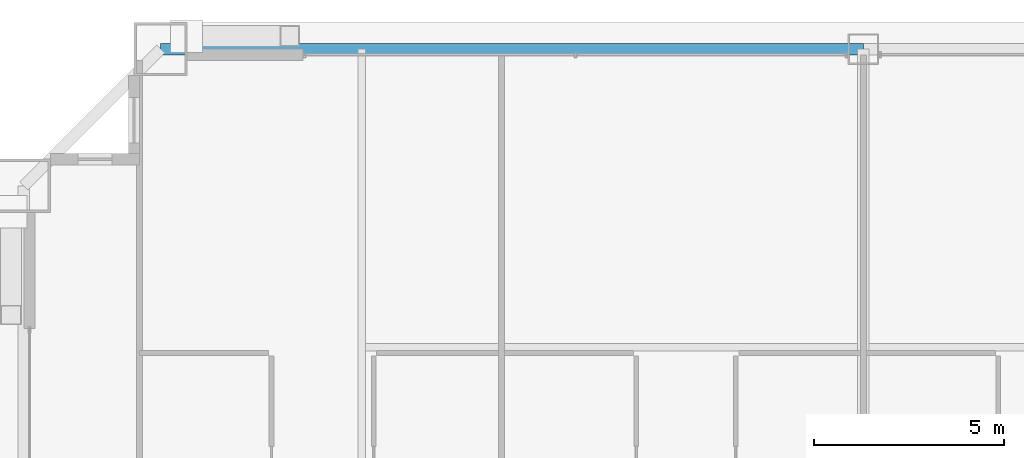
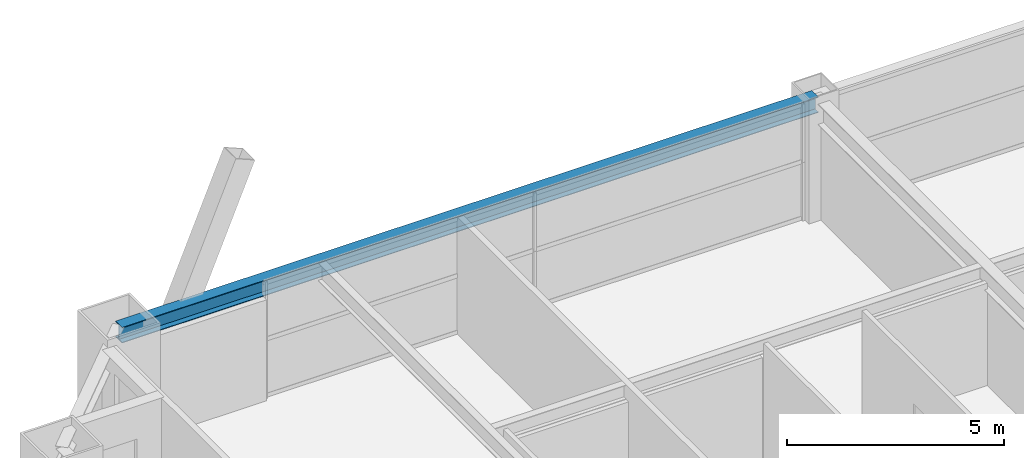
# One storey, part 30 of 42: 1 beam.
"""IFC4 building model written with IfcOpenShell, lengths in metres."""

import ifcopenshell
import ifcopenshell.guid

model = None  # the IFC model being written
_history = None  # IfcOwnerHistory: only IFC2X3 demands one
_inside = {}  # id of a spatial element -> (the spatial element, [elements in it])
_under = {}  # id of a project, library or spatial element -> (it, [spatial elements below it])
_declared = {}  # id of a project -> (the project, [libraries it declares])
_typed = {}  # id of a type object -> (the type object, [elements of that type])
_made_of = {}  # id of a material, layer set ... -> (it, [elements and type objects made of it])


def new_model(schema):
    """Start an empty IFC model of exactly this schema.

    Asked for "IFC4X3", IfcOpenShell would pick the latest addendum, in which some entities
    have other attributes; the version numbers below select the first issue.
    IFC2X3 requires an IfcOwnerHistory on every rooted entity: one is made here for all.
    """
    global model, _history
    if schema == "IFC4X3":
        model = ifcopenshell.file(schema_version=(4, 3, 0, 0))
    else:
        model = ifcopenshell.file(schema=schema)
    _inside.clear()
    _under.clear()
    _declared.clear()
    _typed.clear()
    _made_of.clear()
    _history = None
    if model.schema == "IFC2X3":
        org = make("IfcOrganization", Name="unknown")
        user = make(
            "IfcPersonAndOrganization",
            ThePerson=make("IfcPerson", FamilyName="unknown"),
            TheOrganization=org,
        )
        app = make(
            "IfcApplication",
            ApplicationDeveloper=org,
            Version="unknown",
            ApplicationFullName="unknown",
            ApplicationIdentifier="unknown",
        )
        _history = make(
            "IfcOwnerHistory",
            OwningUser=user,
            OwningApplication=app,
            ChangeAction="ADDED",
            CreationDate=0,
        )
    return model


def make(cls, **values):
    """One entity of the class cls with the attributes given. An attribute that is None is left unset."""
    return model.create_entity(
        cls, **{name: value for name, value in values.items() if value is not None}
    )


def rooted(cls, **values):
    """An entity with a GlobalId (a new one), such as an element, a storey or a relation."""
    return make(cls, GlobalId=ifcopenshell.guid.new(), OwnerHistory=_history, **values)


def si_unit(unit_type, name, prefix=None):
    """IfcSIUnit, for example si_unit("LENGTHUNIT", "METRE", prefix="MILLI")."""
    return make("IfcSIUnit", UnitType=unit_type, Prefix=prefix, Name=name)


def assignment(units):
    """IfcUnitAssignment: the units of a project."""
    return None if units is None else make("IfcUnitAssignment", Units=units)


def point(xyz):
    """IfcCartesianPoint."""
    return None if xyz is None else make("IfcCartesianPoint", Coordinates=xyz)


def direction(xyz):
    """IfcDirection."""
    return None if xyz is None else make("IfcDirection", DirectionRatios=xyz)


def frame(location, z_axis=None, x_axis=None):
    """IfcAxis2Placement3D, a coordinate frame: its origin and axes. An axis left out is left unset."""
    return make(
        "IfcAxis2Placement3D",
        Location=point(location),
        Axis=direction(z_axis),
        RefDirection=direction(x_axis),
    )


def frame_2d(location, x_axis=None):
    """IfcAxis2Placement2D, a coordinate frame in the plane: its origin and x axis."""
    return make(
        "IfcAxis2Placement2D", Location=point(location), RefDirection=direction(x_axis)
    )


def origin():
    """The frame at (0, 0, 0) with its axes left unset."""
    return frame((0.0, 0.0, 0.0))


def origin_2d():
    """The frame at (0, 0) in the plane with its x axis left unset."""
    return frame_2d((0.0, 0.0))


def place(relative_to, where):
    """IfcLocalPlacement: puts the frame where relative to a parent placement (None: the world)."""
    return make(
        "IfcLocalPlacement", PlacementRelTo=relative_to, RelativePlacement=where
    )


def context(
    kind, dimensions, precision=None, world=None, true_north=None, identifier=None
):
    """IfcGeometricRepresentationContext, for example the 3D "Model" context."""
    return make(
        "IfcGeometricRepresentationContext",
        ContextIdentifier=identifier,
        ContextType=kind,
        CoordinateSpaceDimension=dimensions,
        Precision=precision,
        WorldCoordinateSystem=world,
        TrueNorth=true_north,
    )


def subcontext(parent, identifier, kind, view, scale=None):
    """IfcGeometricRepresentationSubContext, for example "Body" below "Model"."""
    return make(
        "IfcGeometricRepresentationSubContext",
        ContextIdentifier=identifier,
        ContextType=kind,
        ParentContext=parent,
        TargetScale=scale,
        TargetView=view,
    )


def project(units=None, contexts=None):
    """IfcProject with its units and contexts."""
    return rooted(
        "IfcProject",
        Name="project",
        RepresentationContexts=contexts,
        UnitsInContext=assignment(units),
    )


def spatial(cls, under=None, at=None, **own):
    """A site, building, storey or space (cls), placed at a placement, below another one or the project."""
    s = rooted(cls, ObjectPlacement=at, **own)
    if under is not None:
        _under.setdefault(under.id(), (under, []))[1].append(s)
    return s


def profile(cls, at=None, kind="AREA", **sizes):
    """A parametric profile (cls). Its sizes go by their IFC names, for example OverallWidth=200.0."""
    return make(cls, ProfileType=kind, Position=at, **sizes)


def i_section(**sizes):
    """IfcIShapeProfileDef."""
    return profile("IfcIShapeProfileDef", **sizes)


def extrude(swept, where, along, depth):
    """IfcExtrudedAreaSolid: the profile swept, set in the frame where, extruded along a direction by depth."""
    return make(
        "IfcExtrudedAreaSolid",
        SweptArea=swept,
        Position=where,
        ExtrudedDirection=direction(along),
        Depth=depth,
    )


def shape(context_of_items, identifier, shape_type, items):
    """IfcShapeRepresentation: the items that make up one representation, for example the "Body"."""
    return make(
        "IfcShapeRepresentation",
        ContextOfItems=context_of_items,
        RepresentationIdentifier=identifier,
        RepresentationType=shape_type,
        Items=items,
    )


def source(mapping_origin, context_of_items, identifier, shape_type, items):
    """IfcRepresentationMap: a shape defined once, which mapped items show again and again."""
    return make(
        "IfcRepresentationMap",
        MappingOrigin=mapping_origin,
        MappedRepresentation=shape(context_of_items, identifier, shape_type, items),
    )


def transform(
    local_origin,
    x_axis=None,
    y_axis=None,
    z_axis=None,
    scale=None,
    scale2=None,
    scale3=None,
    uniform=True,
):
    """IfcCartesianTransformationOperator3D, or its non-uniform kind. x_axis, y_axis, z_axis: its Axis1, 2, 3."""
    if uniform:
        return make(
            "IfcCartesianTransformationOperator3D",
            Axis1=direction(x_axis),
            Axis2=direction(y_axis),
            LocalOrigin=point(local_origin),
            Scale=scale,
            Axis3=direction(z_axis),
        )
    return make(
        "IfcCartesianTransformationOperator3DnonUniform",
        Axis1=direction(x_axis),
        Axis2=direction(y_axis),
        LocalOrigin=point(local_origin),
        Scale=scale,
        Axis3=direction(z_axis),
        Scale2=scale2,
        Scale3=scale3,
    )


def mapped(mapping_source, mapping_target):
    """IfcMappedItem: shows the shape of a source again, moved by a transform."""
    return make(
        "IfcMappedItem", MappingSource=mapping_source, MappingTarget=mapping_target
    )


def material(Name=None, Category=None):
    """IfcMaterial."""
    return make("IfcMaterial", Name=Name, Category=Category)


def material_profile(
    of_material, cross_section, Name=None, Category=None, Priority=None
):
    """IfcMaterialProfile: a cross section and its material."""
    return make(
        "IfcMaterialProfile",
        Name=Name,
        Material=of_material,
        Profile=cross_section,
        Priority=Priority,
        Category=Category,
    )


def profile_set(profiles, Name=None, composite=None):
    """IfcMaterialProfileSet."""
    return make(
        "IfcMaterialProfileSet",
        Name=Name,
        MaterialProfiles=profiles,
        CompositeProfile=composite,
    )


def made_of(thing, what):
    """Note that an element or type object is made of a material, layer set ...; save() writes the relation."""
    if what is not None:
        _made_of.setdefault(what.id(), (what, []))[1].append(thing)
    return thing


def type_object(cls, material=None, **own):
    """A type object (cls), such as IfcWallType, which elements share."""
    return made_of(rooted(cls, **own), material)


def element(
    cls,
    number,
    at=None,
    inside=None,
    cuts=None,
    type_object=None,
    material=None,
    context=None,
    identifier="Body",
    shape_type=None,
    held_by="IfcProductDefinitionShape",
    body=None,
    shapes=None,
    **own,
):
    """One element of the class cls, such as IfcWall. Its Tag is "e" and its number.

    at: its placement. inside: the storey or other place that contains it. cuts: it is an
    opening in that element (IfcRelVoidsElement). A single representation is given by context,
    identifier, shape_type and body (its items); several are given by shapes. held_by: the class
    of the entity that holds the representations. save() writes the other relations.
    """
    e = rooted(cls, Tag="e%d" % number, ObjectPlacement=at, **own)
    if body is not None:
        shapes = [shape(context, identifier, shape_type, body)]
    if shapes is not None:
        e.Representation = make(held_by, Representations=shapes)
    if inside is not None:
        _inside.setdefault(inside.id(), (inside, []))[1].append(e)
    if cuts is not None:
        rooted(
            "IfcRelVoidsElement", RelatingBuildingElement=cuts, RelatedOpeningElement=e
        )
    if type_object is not None:
        _typed.setdefault(type_object.id(), (type_object, []))[1].append(e)
    return made_of(e, material)


def aggregate(whole, parts):
    """IfcRelAggregates: a whole, such as a stair, and the parts it consists of."""
    return rooted("IfcRelAggregates", RelatingObject=whole, RelatedObjects=parts)


def save(model, path):
    """Write the relations noted so far, then the file.

    IfcRelAggregates (storeys below a building ...), IfcRelContainedInSpatialStructure (elements
    in a storey), IfcRelDefinesByType, IfcRelAssociatesMaterial and IfcRelDeclares: one each for
    every whole, place, type object, material and project.
    """
    for whole, parts in _under.values():
        aggregate(whole, parts)
    for where, things in _inside.values():
        rooted(
            "IfcRelContainedInSpatialStructure",
            RelatedElements=things,
            RelatingStructure=where,
        )
    for kind, things in _typed.values():
        rooted("IfcRelDefinesByType", RelatedObjects=things, RelatingType=kind)
    for what, things in _made_of.values():
        rooted("IfcRelAssociatesMaterial", RelatedObjects=things, RelatingMaterial=what)
    for by, libraries in _declared.values():
        rooted("IfcRelDeclares", RelatingContext=by, RelatedDefinitions=libraries)
    model.write(path)


model = new_model("IFC4")

# Units and contexts
model_context = context("Model", 3, precision=1e-05, world=origin(), true_north=direction((0.0, 1.0)))
body_context = subcontext(model_context, "Body", "Model", "MODEL_VIEW")
ifc_project = project(units=[si_unit("LENGTHUNIT", "METRE"), si_unit("AREAUNIT", "SQUARE_METRE"), si_unit("VOLUMEUNIT", "CUBIC_METRE"), si_unit("PLANEANGLEUNIT", "RADIAN"), si_unit("MASSUNIT", "GRAM", prefix="KILO"), si_unit("THERMODYNAMICTEMPERATUREUNIT", "KELVIN"), si_unit("POWERUNIT", "WATT")], contexts=[model_context])

# Site, building, storey
site_placement = place(None, origin())
site = spatial("IfcSite", under=ifc_project, at=site_placement, CompositionType="ELEMENT")
building_placement = place(site_placement, origin())
building = spatial("IfcBuilding", under=site, at=building_placement, Name="Yuzanri Waterfront Tower", CompositionType="ELEMENT")
storey_placement = place(building_placement, frame((0.0, 0.0, 184.5)))
storey = spatial("IfcBuildingStorey", under=building, at=storey_placement, Name="L48", CompositionType="ELEMENT", Elevation=184.5)

# Beam
ifc_material = material(Name="Steel Q355B", Category="steel")
ifc_material_profile = material_profile(ifc_material, i_section(OverallWidth=0.300048828125, OverallDepth=0.43994140625, WebThickness=0.010986328125, FlangeThickness=0.01806640625, at=origin_2d()), Name="HM 440x300x11x18")
ifc_profile_set = profile_set([ifc_material_profile], Name="Steel Q355B")
beam_type = type_object("IfcBeamType", Name="Perimeter Spandrel Q355B HM 440x300", PredefinedType="SPANDREL", material=ifc_profile_set)
shared_shape = source(origin(), body_context, "Body", "SweptSolid", [
    extrude(i_section(OverallWidth=0.300048828125, OverallDepth=0.43994140625, WebThickness=0.010986328125, FlangeThickness=0.01806640625, at=origin_2d()), origin(), (0.0, 0.0, 1.0), 18.5),
])
beam_placement = place(storey_placement, frame((37.0, 47.89990234375, 3.06005859375), z_axis=(-1.0, 0.0, 0.0), x_axis=(0.0, -1.0, 0.0)))
element("IfcBeam", 1, at=beam_placement, inside=storey, type_object=beam_type, Name="L48 Perimeter Spandrel N2-N1", PredefinedType="SPANDREL", context=body_context, shape_type="MappedRepresentation", body=[
    mapped(shared_shape, transform((0.0, 0.0, 0.0), scale=1.0)),
])

save(model, "model.ifc")
